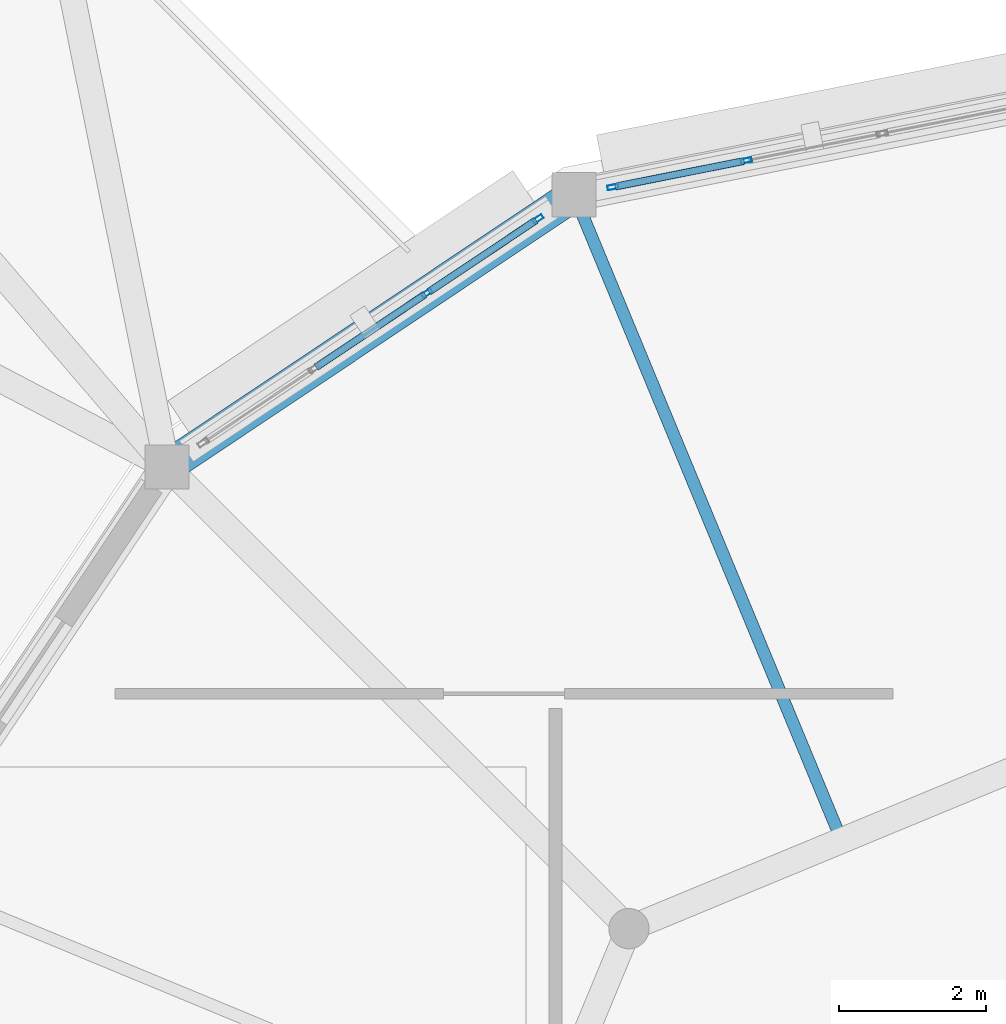
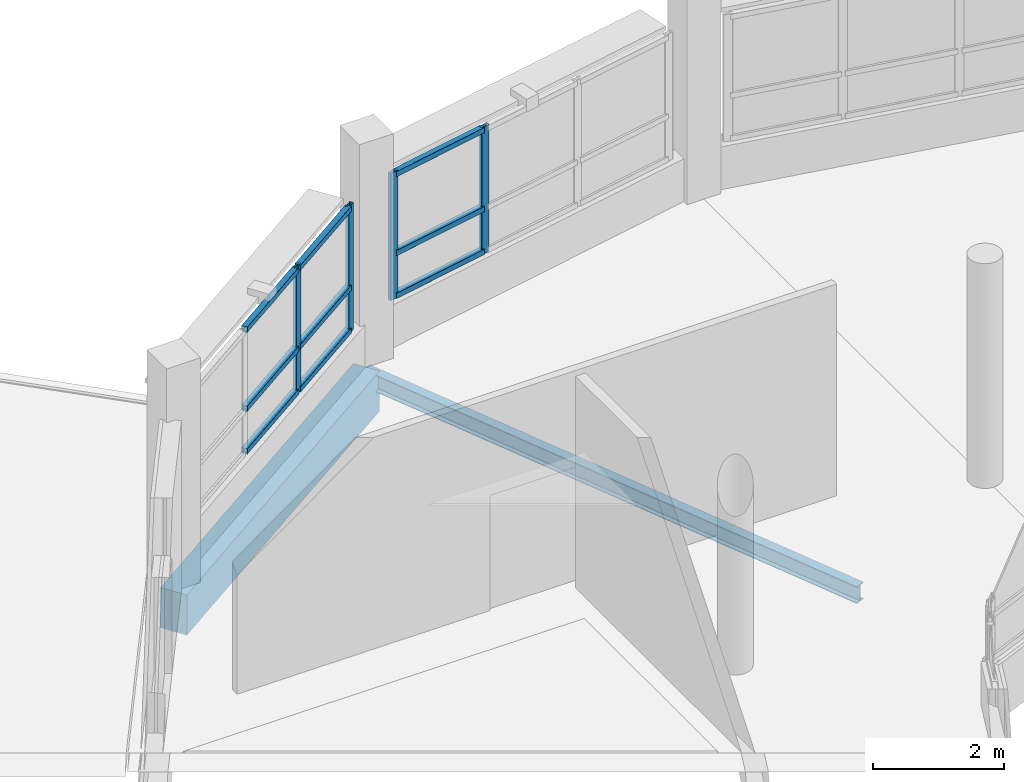
# One storey, part 87 of 128: 13 members, 2 beams, 2 elements without a shape of their own.
"""IFC4 building model written with IfcOpenShell, lengths in metres."""

import ifcopenshell
import ifcopenshell.guid

model = None  # the IFC model being written
_history = None  # IfcOwnerHistory: only IFC2X3 demands one
_inside = {}  # id of a spatial element -> (the spatial element, [elements in it])
_under = {}  # id of a project, library or spatial element -> (it, [spatial elements below it])
_declared = {}  # id of a project -> (the project, [libraries it declares])
_typed = {}  # id of a type object -> (the type object, [elements of that type])
_made_of = {}  # id of a material, layer set ... -> (it, [elements and type objects made of it])


def new_model(schema):
    """Start an empty IFC model of exactly this schema.

    Asked for "IFC4X3", IfcOpenShell would pick the latest addendum, in which some entities
    have other attributes; the version numbers below select the first issue.
    IFC2X3 requires an IfcOwnerHistory on every rooted entity: one is made here for all.
    """
    global model, _history
    if schema == "IFC4X3":
        model = ifcopenshell.file(schema_version=(4, 3, 0, 0))
    else:
        model = ifcopenshell.file(schema=schema)
    _inside.clear()
    _under.clear()
    _declared.clear()
    _typed.clear()
    _made_of.clear()
    _history = None
    if model.schema == "IFC2X3":
        org = make("IfcOrganization", Name="unknown")
        user = make(
            "IfcPersonAndOrganization",
            ThePerson=make("IfcPerson", FamilyName="unknown"),
            TheOrganization=org,
        )
        app = make(
            "IfcApplication",
            ApplicationDeveloper=org,
            Version="unknown",
            ApplicationFullName="unknown",
            ApplicationIdentifier="unknown",
        )
        _history = make(
            "IfcOwnerHistory",
            OwningUser=user,
            OwningApplication=app,
            ChangeAction="ADDED",
            CreationDate=0,
        )
    return model


def make(cls, **values):
    """One entity of the class cls with the attributes given. An attribute that is None is left unset."""
    return model.create_entity(
        cls, **{name: value for name, value in values.items() if value is not None}
    )


def rooted(cls, **values):
    """An entity with a GlobalId (a new one), such as an element, a storey or a relation."""
    return make(cls, GlobalId=ifcopenshell.guid.new(), OwnerHistory=_history, **values)


def si_unit(unit_type, name, prefix=None):
    """IfcSIUnit, for example si_unit("LENGTHUNIT", "METRE", prefix="MILLI")."""
    return make("IfcSIUnit", UnitType=unit_type, Prefix=prefix, Name=name)


def assignment(units):
    """IfcUnitAssignment: the units of a project."""
    return None if units is None else make("IfcUnitAssignment", Units=units)


def point(xyz):
    """IfcCartesianPoint."""
    return None if xyz is None else make("IfcCartesianPoint", Coordinates=xyz)


def direction(xyz):
    """IfcDirection."""
    return None if xyz is None else make("IfcDirection", DirectionRatios=xyz)


def frame(location, z_axis=None, x_axis=None):
    """IfcAxis2Placement3D, a coordinate frame: its origin and axes. An axis left out is left unset."""
    return make(
        "IfcAxis2Placement3D",
        Location=point(location),
        Axis=direction(z_axis),
        RefDirection=direction(x_axis),
    )


def frame_2d(location, x_axis=None):
    """IfcAxis2Placement2D, a coordinate frame in the plane: its origin and x axis."""
    return make(
        "IfcAxis2Placement2D", Location=point(location), RefDirection=direction(x_axis)
    )


def origin():
    """The frame at (0, 0, 0) with its axes left unset."""
    return frame((0.0, 0.0, 0.0))


def origin_2d():
    """The frame at (0, 0) in the plane with its x axis left unset."""
    return frame_2d((0.0, 0.0))


def place(relative_to, where):
    """IfcLocalPlacement: puts the frame where relative to a parent placement (None: the world)."""
    return make(
        "IfcLocalPlacement", PlacementRelTo=relative_to, RelativePlacement=where
    )


def context(
    kind, dimensions, precision=None, world=None, true_north=None, identifier=None
):
    """IfcGeometricRepresentationContext, for example the 3D "Model" context."""
    return make(
        "IfcGeometricRepresentationContext",
        ContextIdentifier=identifier,
        ContextType=kind,
        CoordinateSpaceDimension=dimensions,
        Precision=precision,
        WorldCoordinateSystem=world,
        TrueNorth=true_north,
    )


def subcontext(parent, identifier, kind, view, scale=None):
    """IfcGeometricRepresentationSubContext, for example "Body" below "Model"."""
    return make(
        "IfcGeometricRepresentationSubContext",
        ContextIdentifier=identifier,
        ContextType=kind,
        ParentContext=parent,
        TargetScale=scale,
        TargetView=view,
    )


def project(units=None, contexts=None):
    """IfcProject with its units and contexts."""
    return rooted(
        "IfcProject",
        Name="project",
        RepresentationContexts=contexts,
        UnitsInContext=assignment(units),
    )


def spatial(cls, under=None, at=None, **own):
    """A site, building, storey or space (cls), placed at a placement, below another one or the project."""
    s = rooted(cls, ObjectPlacement=at, **own)
    if under is not None:
        _under.setdefault(under.id(), (under, []))[1].append(s)
    return s


def profile(cls, at=None, kind="AREA", **sizes):
    """A parametric profile (cls). Its sizes go by their IFC names, for example OverallWidth=200.0."""
    return make(cls, ProfileType=kind, Position=at, **sizes)


def rectangle(**sizes):
    """IfcRectangleProfileDef."""
    return profile("IfcRectangleProfileDef", **sizes)


def hollow_rectangle(**sizes):
    """IfcRectangleHollowProfileDef."""
    return profile("IfcRectangleHollowProfileDef", **sizes)


def i_section(**sizes):
    """IfcIShapeProfileDef."""
    return profile("IfcIShapeProfileDef", **sizes)


def extrude(swept, where, along, depth):
    """IfcExtrudedAreaSolid: the profile swept, set in the frame where, extruded along a direction by depth."""
    return make(
        "IfcExtrudedAreaSolid",
        SweptArea=swept,
        Position=where,
        ExtrudedDirection=direction(along),
        Depth=depth,
    )


def shape(context_of_items, identifier, shape_type, items):
    """IfcShapeRepresentation: the items that make up one representation, for example the "Body"."""
    return make(
        "IfcShapeRepresentation",
        ContextOfItems=context_of_items,
        RepresentationIdentifier=identifier,
        RepresentationType=shape_type,
        Items=items,
    )


def material(Name=None, Category=None):
    """IfcMaterial."""
    return make("IfcMaterial", Name=Name, Category=Category)


def layer(
    of_material, thickness, ventilated=None, Name=None, Category=None, Priority=None
):
    """IfcMaterialLayer: one layer of a wall or slab, of a material (None: an air gap)."""
    return make(
        "IfcMaterialLayer",
        Material=of_material,
        LayerThickness=thickness,
        IsVentilated=ventilated,
        Name=Name,
        Category=Category,
        Priority=Priority,
    )


def layer_set(layers, Name=None):
    """IfcMaterialLayerSet."""
    return make("IfcMaterialLayerSet", MaterialLayers=layers, LayerSetName=Name)


def material_profile(
    of_material, cross_section, Name=None, Category=None, Priority=None
):
    """IfcMaterialProfile: a cross section and its material."""
    return make(
        "IfcMaterialProfile",
        Name=Name,
        Material=of_material,
        Profile=cross_section,
        Priority=Priority,
        Category=Category,
    )


def profile_set(profiles, Name=None, composite=None):
    """IfcMaterialProfileSet."""
    return make(
        "IfcMaterialProfileSet",
        Name=Name,
        MaterialProfiles=profiles,
        CompositeProfile=composite,
    )


def made_of(thing, what):
    """Note that an element or type object is made of a material, layer set ...; save() writes the relation."""
    if what is not None:
        _made_of.setdefault(what.id(), (what, []))[1].append(thing)
    return thing


def type_object(cls, material=None, **own):
    """A type object (cls), such as IfcWallType, which elements share."""
    return made_of(rooted(cls, **own), material)


def element(
    cls,
    number,
    at=None,
    inside=None,
    cuts=None,
    type_object=None,
    material=None,
    context=None,
    identifier="Body",
    shape_type=None,
    held_by="IfcProductDefinitionShape",
    body=None,
    shapes=None,
    **own,
):
    """One element of the class cls, such as IfcWall. Its Tag is "e" and its number.

    at: its placement. inside: the storey or other place that contains it. cuts: it is an
    opening in that element (IfcRelVoidsElement). A single representation is given by context,
    identifier, shape_type and body (its items); several are given by shapes. held_by: the class
    of the entity that holds the representations. save() writes the other relations.
    """
    e = rooted(cls, Tag="e%d" % number, ObjectPlacement=at, **own)
    if body is not None:
        shapes = [shape(context, identifier, shape_type, body)]
    if shapes is not None:
        e.Representation = make(held_by, Representations=shapes)
    if inside is not None:
        _inside.setdefault(inside.id(), (inside, []))[1].append(e)
    if cuts is not None:
        rooted(
            "IfcRelVoidsElement", RelatingBuildingElement=cuts, RelatedOpeningElement=e
        )
    if type_object is not None:
        _typed.setdefault(type_object.id(), (type_object, []))[1].append(e)
    return made_of(e, material)


def aggregate(whole, parts):
    """IfcRelAggregates: a whole, such as a stair, and the parts it consists of."""
    return rooted("IfcRelAggregates", RelatingObject=whole, RelatedObjects=parts)


def save(model, path):
    """Write the relations noted so far, then the file.

    IfcRelAggregates (storeys below a building ...), IfcRelContainedInSpatialStructure (elements
    in a storey), IfcRelDefinesByType, IfcRelAssociatesMaterial and IfcRelDeclares: one each for
    every whole, place, type object, material and project.
    """
    for whole, parts in _under.values():
        aggregate(whole, parts)
    for where, things in _inside.values():
        rooted(
            "IfcRelContainedInSpatialStructure",
            RelatedElements=things,
            RelatingStructure=where,
        )
    for kind, things in _typed.values():
        rooted("IfcRelDefinesByType", RelatedObjects=things, RelatingType=kind)
    for what, things in _made_of.values():
        rooted("IfcRelAssociatesMaterial", RelatedObjects=things, RelatingMaterial=what)
    for by, libraries in _declared.values():
        rooted("IfcRelDeclares", RelatingContext=by, RelatedDefinitions=libraries)
    model.write(path)


model = new_model("IFC4")

# Units and contexts
model_context = context("Model", 3, precision=1e-05, world=origin(), true_north=direction((0.0, 1.0)))
body_context = subcontext(model_context, "Body", "Model", "MODEL_VIEW")
ifc_project = project(units=[si_unit("LENGTHUNIT", "METRE"), si_unit("AREAUNIT", "SQUARE_METRE"), si_unit("VOLUMEUNIT", "CUBIC_METRE"), si_unit("PLANEANGLEUNIT", "RADIAN"), si_unit("MASSUNIT", "GRAM", prefix="KILO")], contexts=[model_context])

# Site, building, storey
site_placement = place(None, origin())
site = spatial("IfcSite", under=ifc_project, at=site_placement, CompositionType="ELEMENT")
building_placement = place(site_placement, origin())
building = spatial("IfcBuilding", under=site, at=building_placement, Name="Vespera Passage Community Centre", CompositionType="ELEMENT")
storey_placement = place(building_placement, frame((0.0, 0.0, 4.5)))
storey = spatial("IfcBuildingStorey", under=building, at=storey_placement, Name="L01", CompositionType="ELEMENT", Elevation=4.5)

# Beams
ifc_material_1 = material(Name="Steel ASTM A992 Grade 50", Category="steel")
ifc_material_profile_1 = material_profile(ifc_material_1, i_section(OverallWidth=0.16650390625, OverallDepth=0.3173828125, WebThickness=0.007568359375, FlangeThickness=0.01318359375, FilletRadius=0.007568359375, at=origin_2d()), Name="W12X35")
ifc_profile_set_1 = profile_set([ifc_material_profile_1], Name="Steel ASTM A992 Grade 50")
beam_type_1 = type_object("IfcBeamType", Name="BM-J-W12X35", PredefinedType="JOIST", material=ifc_profile_set_1)
beam_1_placement = place(storey_placement, frame((138.100830078125, 31.999267578125, -0.398681640625), z_axis=(-0.382690630849, 0.923876550769, 0.0), x_axis=(-0.923876550769, -0.382690630849, 0.0)))
element("IfcBeam", 1, at=beam_1_placement, inside=storey, type_object=beam_type_1, Name="V3 L01 Secondary Joist 3", PredefinedType="JOIST", context=body_context, shape_type="SweptSolid", body=[
    extrude(i_section(OverallWidth=0.16650390625, OverallDepth=0.3173828125, WebThickness=0.007568359375, FlangeThickness=0.01318359375, FilletRadius=0.007568359375, at=origin_2d()), origin(), (0.0, 0.0, 1.0), 9.524169921875),
])
ifc_material_2 = material(Name="Concrete f'c 35 MPa", Category="concrete")
ifc_material_profile_2 = material_profile(ifc_material_2, rectangle(XDim=0.449951171875, YDim=0.75, at=origin_2d()), Name="RC450X750")
ifc_profile_set_2 = profile_set([ifc_material_profile_2], Name="Concrete f'c 35 MPa")
beam_type_2 = type_object("IfcBeamType", Name="BM-SP-450X750E", PredefinedType="SPANDREL", material=ifc_profile_set_2)
beam_2_placement = place(storey_placement, frame((134.4560546875, 40.79833984375, -0.614990234375), z_axis=(-0.831470004276, -0.55556964639, 0.0), x_axis=(0.55556964639, -0.831470004276, 0.0)))
element("IfcBeam", 2, at=beam_2_placement, inside=storey, type_object=beam_type_2, Name="V3 L01 Spandrel 6", PredefinedType="SPANDREL", context=body_context, shape_type="SweptSolid", body=[
    extrude(rectangle(XDim=0.449951171875, YDim=0.75, at=origin_2d()), origin(), (0.0, 0.0, 1.0), 6.672119140625),
])

# Curtain wall, members
ifc_material_3 = material(Name="Anodized aluminium 6063-T6", Category="aluminium")
ifc_layer_1 = layer(ifc_material_3, 0.159912109375)
ifc_layer_set_1 = layer_set([ifc_layer_1], Name="Anodized aluminium 6063-T6")
curtain_wall_type_1 = type_object("IfcCurtainWallType", Name="CW-105E", PredefinedType="NOTDEFINED", material=ifc_layer_set_1)
curtain_wall_1_placement = place(storey_placement, origin())
curtain_wall_1 = element("IfcCurtainWall", 3, at=curtain_wall_1_placement, inside=storey, type_object=curtain_wall_type_1, Name="Dining Drum Ribbon Curtain Wall L01.5", PredefinedType="NOTDEFINED")
ifc_material_4 = material(Name="Anodized aluminium 6063-T6", Category="aluminium")
ifc_material_profile_3 = material_profile(ifc_material_4, hollow_rectangle(XDim=0.06494140625, YDim=0.14990234375, WallThickness=0.00390625, InnerFilletRadius=0.001953125, OuterFilletRadius=0.00390625, at=origin_2d()), Name="ALU150X65X4")
ifc_profile_set_3 = profile_set([ifc_material_profile_3], Name="Anodized aluminium 6063-T6")
member_type_1 = type_object("IfcMemberType", Name="MB-CWM-150E", PredefinedType="MULLION", material=ifc_profile_set_3)
member_1_placement = place(storey_placement, frame((134.984130859375, 40.9033203125, 0.800048828125), z_axis=(0.0, 0.0, 1.0), x_axis=(-0.195096778691, 0.980783996069, 0.0)))
member_1 = element("IfcMember", 4, at=member_1_placement, type_object=member_type_1, Name="CW-105E mullion 1", PredefinedType="MULLION", context=body_context, shape_type="SweptSolid", body=[
    extrude(hollow_rectangle(XDim=0.06494140625, YDim=0.14990234375, WallThickness=0.00390625, InnerFilletRadius=0.001953125, OuterFilletRadius=0.00390625, at=origin_2d()), origin(), (0.0, 0.0, 1.0), 2.375),
])
member_2_placement = place(storey_placement, frame((136.802734375, 41.26513671875, 0.800048828125), z_axis=(0.0, 0.0, 1.0), x_axis=(-0.195096778691, 0.980783996069, 0.0)))
member_2 = element("IfcMember", 5, at=member_2_placement, type_object=member_type_1, Name="CW-105E mullion 2", PredefinedType="MULLION", context=body_context, shape_type="SweptSolid", body=[
    extrude(hollow_rectangle(XDim=0.06494140625, YDim=0.14990234375, WallThickness=0.00390625, InnerFilletRadius=0.001953125, OuterFilletRadius=0.00390625, at=origin_2d()), origin(), (0.0, 0.0, 1.0), 2.375),
])

ifc_material_5 = material(Name="Anodized aluminium 6063-T6", Category="aluminium")
ifc_layer_2 = layer(ifc_material_5, 0.159912109375)
ifc_layer_set_2 = layer_set([ifc_layer_2], Name="Anodized aluminium 6063-T6")
curtain_wall_type_2 = type_object("IfcCurtainWallType", Name="CW-106E", PredefinedType="NOTDEFINED", material=ifc_layer_set_2)
curtain_wall_2_placement = place(storey_placement, origin())
curtain_wall_2 = element("IfcCurtainWall", 6, at=curtain_wall_2_placement, inside=storey, type_object=curtain_wall_type_2, Name="Dining Drum Ribbon Curtain Wall L01.6", PredefinedType="NOTDEFINED")
member_3_placement = place(storey_placement, frame((132.451416015625, 39.458740234375, 0.800048828125), z_axis=(0.0, 0.0, 1.0), x_axis=(-0.555564700918, 0.831473308708, 0.0)))
member_3 = element("IfcMember", 7, at=member_3_placement, type_object=member_type_1, Name="CW-106E mullion 3", PredefinedType="MULLION", context=body_context, shape_type="SweptSolid", body=[
    extrude(hollow_rectangle(XDim=0.06494140625, YDim=0.14990234375, WallThickness=0.00390625, InnerFilletRadius=0.001953125, OuterFilletRadius=0.00390625, at=origin_2d()), origin(), (0.0, 0.0, 1.0), 2.375),
])
member_4_placement = place(storey_placement, frame((133.962890625, 40.46875, 0.800048828125), z_axis=(0.0, 0.0, 1.0), x_axis=(-0.555564700918, 0.831473308708, 0.0)))
member_4 = element("IfcMember", 8, at=member_4_placement, type_object=member_type_1, Name="CW-106E mullion 4", PredefinedType="MULLION", context=body_context, shape_type="SweptSolid", body=[
    extrude(hollow_rectangle(XDim=0.06494140625, YDim=0.14990234375, WallThickness=0.00390625, InnerFilletRadius=0.001953125, OuterFilletRadius=0.00390625, at=origin_2d()), origin(), (0.0, 0.0, 1.0), 2.375),
])

# Member
ifc_material_6 = material(Name="Anodized aluminium 6063-T6", Category="aluminium")
ifc_material_profile_4 = material_profile(ifc_material_6, hollow_rectangle(XDim=0.10009765625, YDim=0.10009765625, WallThickness=0.00390625, InnerFilletRadius=0.001953125, OuterFilletRadius=0.00390625, at=origin_2d()), Name="ALU100X100X4")
ifc_profile_set_4 = profile_set([ifc_material_profile_4], Name="Anodized aluminium 6063-T6")
member_type_2 = type_object("IfcMemberType", Name="MB-CWT-100E", PredefinedType="USERDEFINED", material=ifc_profile_set_4)
member_5_placement = place(storey_placement, frame((135.01611328125, 40.90966796875, 0.85009765625), z_axis=(0.980779590975, 0.195118922523, 0.0), x_axis=(-0.195118922523, 0.980779590975, 0.0)))
member_5 = element("IfcMember", 9, at=member_5_placement, type_object=member_type_2, Name="CW-105E transom 1.1", ObjectType="TRANSOM", PredefinedType="USERDEFINED", context=body_context, shape_type="SweptSolid", body=[
    extrude(hollow_rectangle(XDim=0.10009765625, YDim=0.10009765625, WallThickness=0.00390625, InnerFilletRadius=0.001953125, OuterFilletRadius=0.00390625, at=origin_2d()), origin(), (0.0, 0.0, 1.0), 1.789306640625),
])

member_6_placement = place(storey_placement, frame((135.01611328125, 40.90966796875, 1.64990234375), z_axis=(0.980779590975, 0.195118922523, 0.0), x_axis=(-0.195118922523, 0.980779590975, 0.0)))
member_6 = element("IfcMember", 10, at=member_6_placement, type_object=member_type_2, Name="CW-105E transom 1.2", ObjectType="TRANSOM", PredefinedType="USERDEFINED", context=body_context, shape_type="SweptSolid", body=[
    extrude(hollow_rectangle(XDim=0.10009765625, YDim=0.10009765625, WallThickness=0.00390625, InnerFilletRadius=0.001953125, OuterFilletRadius=0.00390625, at=origin_2d()), origin(), (0.0, 0.0, 1.0), 1.789306640625),
])

member_7_placement = place(storey_placement, frame((135.01611328125, 40.90966796875, 3.125), z_axis=(0.980779590975, 0.195118922523, 0.0), x_axis=(-0.195118922523, 0.980779590975, 0.0)))
member_7 = element("IfcMember", 11, at=member_7_placement, type_object=member_type_2, Name="CW-105E transom 1.3", ObjectType="TRANSOM", PredefinedType="USERDEFINED", context=body_context, shape_type="SweptSolid", body=[
    extrude(hollow_rectangle(XDim=0.10009765625, YDim=0.10009765625, WallThickness=0.00390625, InnerFilletRadius=0.001953125, OuterFilletRadius=0.00390625, at=origin_2d()), origin(), (0.0, 0.0, 1.0), 1.789306640625),
])

aggregate(curtain_wall_1, [member_1, member_2, member_5, member_6, member_7])

member_8_placement = place(storey_placement, frame((130.940185546875, 38.448974609375, 0.85009765625), z_axis=(0.831502848374, 0.555520488502, 0.0), x_axis=(-0.555520488502, 0.831502848374, 0.0)))
member_8 = element("IfcMember", 12, at=member_8_placement, type_object=member_type_2, Name="CW-106E transom 2.1", ObjectType="TRANSOM", PredefinedType="USERDEFINED", context=body_context, shape_type="SweptSolid", body=[
    extrude(hollow_rectangle(XDim=0.10009765625, YDim=0.10009765625, WallThickness=0.00390625, InnerFilletRadius=0.001953125, OuterFilletRadius=0.00390625, at=origin_2d()), origin(), (0.0, 0.0, 1.0), 1.78515625),
])

member_9_placement = place(storey_placement, frame((130.940185546875, 38.448974609375, 1.64990234375), z_axis=(0.831502848374, 0.555520488502, 0.0), x_axis=(-0.555520488502, 0.831502848374, 0.0)))
member_9 = element("IfcMember", 13, at=member_9_placement, type_object=member_type_2, Name="CW-106E transom 2.2", ObjectType="TRANSOM", PredefinedType="USERDEFINED", context=body_context, shape_type="SweptSolid", body=[
    extrude(hollow_rectangle(XDim=0.10009765625, YDim=0.10009765625, WallThickness=0.00390625, InnerFilletRadius=0.001953125, OuterFilletRadius=0.00390625, at=origin_2d()), origin(), (0.0, 0.0, 1.0), 1.78515625),
])

member_10_placement = place(storey_placement, frame((130.940185546875, 38.448974609375, 3.125), z_axis=(0.831502848374, 0.555520488502, 0.0), x_axis=(-0.555520488502, 0.831502848374, 0.0)))
member_10 = element("IfcMember", 14, at=member_10_placement, type_object=member_type_2, Name="CW-106E transom 2.3", ObjectType="TRANSOM", PredefinedType="USERDEFINED", context=body_context, shape_type="SweptSolid", body=[
    extrude(hollow_rectangle(XDim=0.10009765625, YDim=0.10009765625, WallThickness=0.00390625, InnerFilletRadius=0.001953125, OuterFilletRadius=0.00390625, at=origin_2d()), origin(), (0.0, 0.0, 1.0), 1.78515625),
])

member_11_placement = place(storey_placement, frame((132.478515625, 39.476806640625, 0.85009765625), z_axis=(0.831428319751, 0.555632026719, 0.0), x_axis=(-0.555632026719, 0.831428319751, 0.0)))
member_11 = element("IfcMember", 15, at=member_11_placement, type_object=member_type_2, Name="CW-106E transom 3.1", ObjectType="TRANSOM", PredefinedType="USERDEFINED", context=body_context, shape_type="SweptSolid", body=[
    extrude(hollow_rectangle(XDim=0.10009765625, YDim=0.10009765625, WallThickness=0.00390625, InnerFilletRadius=0.001953125, OuterFilletRadius=0.00390625, at=origin_2d()), origin(), (0.0, 0.0, 1.0), 1.752685546875),
])

member_12_placement = place(storey_placement, frame((132.478515625, 39.476806640625, 1.64990234375), z_axis=(0.831428319751, 0.555632026719, 0.0), x_axis=(-0.555632026719, 0.831428319751, 0.0)))
member_12 = element("IfcMember", 16, at=member_12_placement, type_object=member_type_2, Name="CW-106E transom 3.2", ObjectType="TRANSOM", PredefinedType="USERDEFINED", context=body_context, shape_type="SweptSolid", body=[
    extrude(hollow_rectangle(XDim=0.10009765625, YDim=0.10009765625, WallThickness=0.00390625, InnerFilletRadius=0.001953125, OuterFilletRadius=0.00390625, at=origin_2d()), origin(), (0.0, 0.0, 1.0), 1.752685546875),
])

member_13_placement = place(storey_placement, frame((132.478515625, 39.476806640625, 3.125), z_axis=(0.831428319751, 0.555632026719, 0.0), x_axis=(-0.555632026719, 0.831428319751, 0.0)))
member_13 = element("IfcMember", 17, at=member_13_placement, type_object=member_type_2, Name="CW-106E transom 3.3", ObjectType="TRANSOM", PredefinedType="USERDEFINED", context=body_context, shape_type="SweptSolid", body=[
    extrude(hollow_rectangle(XDim=0.10009765625, YDim=0.10009765625, WallThickness=0.00390625, InnerFilletRadius=0.001953125, OuterFilletRadius=0.00390625, at=origin_2d()), origin(), (0.0, 0.0, 1.0), 1.752685546875),
])

aggregate(curtain_wall_2, [member_3, member_4, member_8, member_9, member_10, member_11, member_12, member_13])

save(model, "model.ifc")
